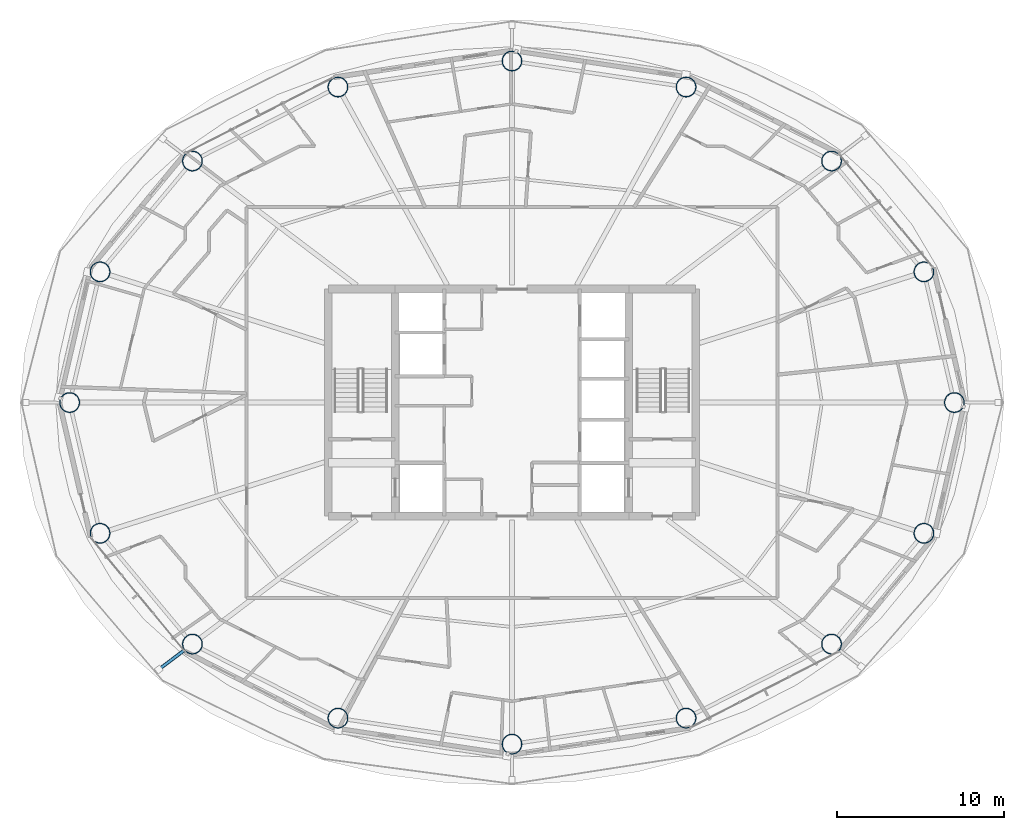
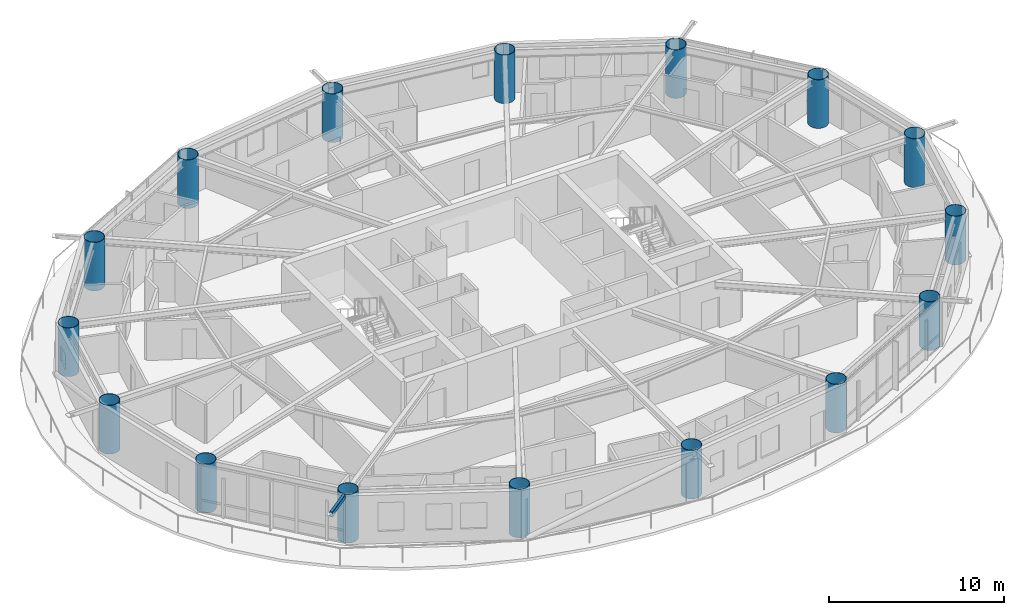
# One storey, part 1 of 28: 16 columns, 1 member.
"""IFC4 building model written with IfcOpenShell, lengths in metres."""

from ifc_helpers import new_model, si_unit, direction, frame, origin, origin_2d, place, context, subcontext, project, spatial, hollow_rectangle, hollow_circle, extrude, material, material_profile, profile_set, type_object, element, save


model = new_model("IFC4")

# Units and contexts
model_context = context("Model", 3, precision=1e-05, world=origin(), true_north=direction((0.0, 1.0)))
body_context = subcontext(model_context, "Body", "Model", "MODEL_VIEW")
ifc_project = project(units=[si_unit("LENGTHUNIT", "METRE"), si_unit("AREAUNIT", "SQUARE_METRE"), si_unit("VOLUMEUNIT", "CUBIC_METRE"), si_unit("PLANEANGLEUNIT", "RADIAN"), si_unit("MASSUNIT", "GRAM", prefix="KILO")], contexts=[model_context])

# Site, building, storey
site_placement = place(None, origin())
site = spatial("IfcSite", under=ifc_project, at=site_placement, CompositionType="ELEMENT")
building_placement = place(site_placement, origin())
building = spatial("IfcBuilding", under=site, at=building_placement, Name="Sarneth Arch Tower", CompositionType="ELEMENT")
storey_placement = place(building_placement, frame((0.0, 0.0, 190.199951171875)))
storey = spatial("IfcBuildingStorey", under=building, at=storey_placement, Name="L48", CompositionType="ELEMENT", Elevation=190.199951171875)

# Columns
ifc_material_1 = material(Name="Steel S355", Category="steel")
ifc_material_profile_1 = material_profile(ifc_material_1, hollow_circle(Radius=0.60009765625, WallThickness=0.031982421875, at=origin_2d()), Name="CHS1200x32")
ifc_profile_set_1 = profile_set([ifc_material_profile_1], Name="Steel S355")
column_type = type_object("IfcColumnType", Name="COL-MEGA-1200", PredefinedType="COLUMN", material=ifc_profile_set_1)
for number, where, z_axis, x_axis, name in (
    (1, (74.487060546875, 42.0, 0.0), (0.0, 0.0, 1.0), (1.0, 0.0, 0.0), "L48 Perimeter mega-column M01"),
    (2, (72.662109375, 49.825927734375, 0.0), (0.0, 0.0, 1.0), (1.0, 0.0, 0.0), "L48 Perimeter mega-column M02"),
    (3, (67.1337890625, 56.46044921875, 0.0), (0.0, 0.0, 1.0), (1.0, 0.0, 0.0), "L48 Perimeter mega-column M03"),
    (4, (58.421875, 60.893310546875, 0.0), (0.0, 0.0, 1.0), (1.0, 0.0, 0.0), "L48 Perimeter mega-column M04"),
    (5, (48.0, 62.449951171875, 0.0), (0.0, 0.0, 1.0), (1.0, 0.0, 0.0), "L48 Perimeter mega-column M05"),
    (6, (37.578125, 60.893310546875, 0.0), (0.0, 0.0, 1.0), (1.0, 0.0, 0.0), "L48 Perimeter mega-column M06"),
    (7, (28.8662109375, 56.46044921875, 0.0), (0.0, 0.0, 1.0), (1.0, 0.0, 0.0), "L48 Perimeter mega-column M07"),
    (8, (23.337890625, 49.825927734375, 0.0), (0.0, 0.0, 1.0), (1.0, 0.0, 0.0), "L48 Perimeter mega-column M08"),
    (9, (21.512939453125, 42.0, 0.0), (0.0, 0.0, 1.0), (1.0, 0.0, 0.0), "L48 Perimeter mega-column M09"),
    (10, (23.337890625, 34.174072265625, 0.0), (0.0, 0.0, 1.0), (1.0, 0.0, 0.0), "L48 Perimeter mega-column M10"),
    (11, (28.8662109375, 27.53955078125, 0.0), (0.0, 0.0, 1.0), (1.0, 0.0, 0.0), "L48 Perimeter mega-column M11"),
    (12, (37.578125, 23.106689453125, 0.0), (0.0, 0.0, 1.0), (1.0, 0.0, 0.0), "L48 Perimeter mega-column M12"),
    (13, (48.0, 21.550048828125, 0.0), (0.0, 0.0, 1.0), (1.0, 0.0, 0.0), "L48 Perimeter mega-column M13"),
    (14, (58.421875, 23.106689453125, 0.0), (0.0, 0.0, 1.0), (1.0, 0.0, 0.0), "L48 Perimeter mega-column M14"),
    (15, (67.1337890625, 27.53955078125, 0.0), (0.0, 0.0, 1.0), (1.0, 0.0, 0.0), "L48 Perimeter mega-column M15"),
    (16, (72.662109375, 34.174072265625, 0.0), (0.0, 0.0, 1.0), (1.0, 0.0, 0.0), "L48 Perimeter mega-column M16"),
):
    element("IfcColumn", number, at=place(storey_placement, frame(where, z_axis=z_axis, x_axis=x_axis)), inside=storey, type_object=column_type, Name=name, PredefinedType="COLUMN", context=body_context, shape_type="SweptSolid", body=[
        extrude(hollow_circle(Radius=0.60009765625, WallThickness=0.031982421875, at=origin_2d()), origin(), (0.0, 0.0, 1.0), 3.380126953125),
    ])

# Member
ifc_material_2 = material(Name="Steel S355", Category="steel")
ifc_material_profile_2 = material_profile(ifc_material_2, hollow_rectangle(XDim=0.199951171875, YDim=0.300048828125, WallThickness=0.012451171875, InnerFilletRadius=0.018798828125, OuterFilletRadius=0.03125, at=origin_2d()), Name="RHS300x200x12.5")
ifc_profile_set_2 = profile_set([ifc_material_profile_2], Name="Steel S355")
member_type = type_object("IfcMemberType", Name="MEM-CANT-STRUT", PredefinedType="STRUT", material=ifc_profile_set_2)
member_placement = place(storey_placement, frame((28.387451171875, 27.177978515625, 3.219970703125), z_axis=(-0.797736879536, -0.603005697342, 0.0), x_axis=(0.603005697342, -0.797736879536, 0.0)))
element("IfcMember", 17, at=member_placement, inside=storey, type_object=member_type, Name="L48 Balcony cantilever bracket 11", PredefinedType="STRUT", context=body_context, shape_type="SweptSolid", body=[
    extrude(hollow_rectangle(XDim=0.199951171875, YDim=0.300048828125, WallThickness=0.012451171875, InnerFilletRadius=0.018798828125, OuterFilletRadius=0.03125, at=origin_2d()), origin(), (0.0, 0.0, 1.0), 1.920654296875),
])

save(model, "model.ifc")
